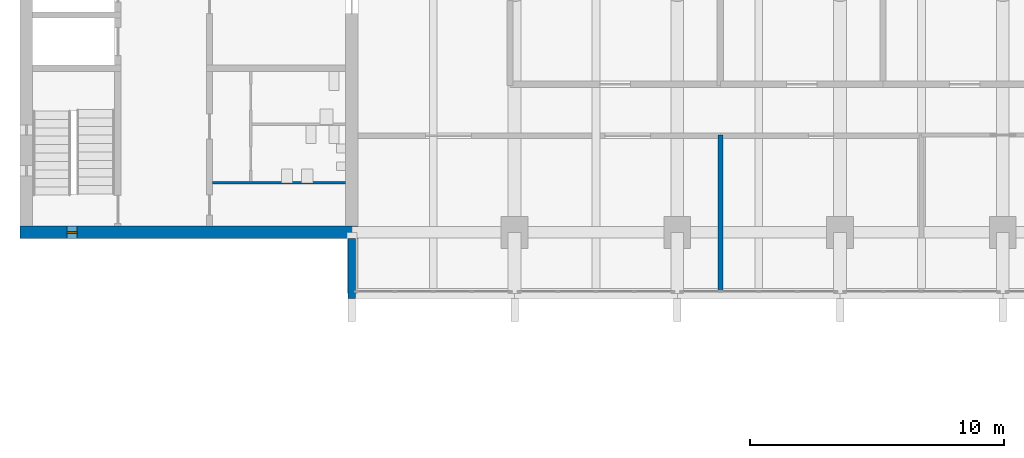
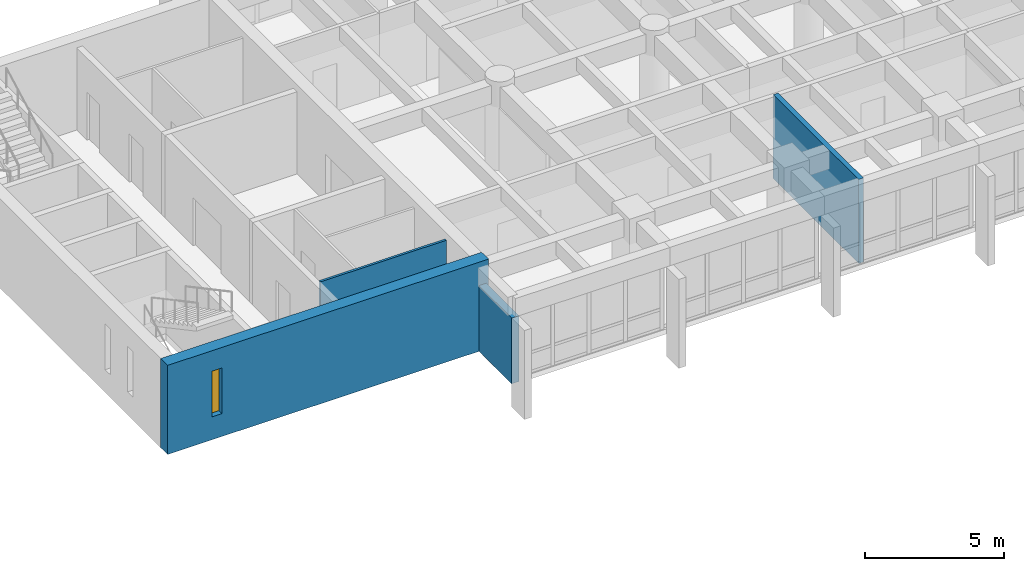
# One storey, part 9 of 19: 4 walls, 1 window, 1 opening.
"""IFC4 building model written with IfcOpenShell, lengths in metres."""

from ifc_helpers import new_model, si_unit, direction, frame, frame_2d, origin, place, context, subcontext, project, spatial, rectangle, extrude, material, layer, layer_set, type_object, element, fill, save


model = new_model("IFC4")

# Units and contexts
model_context = context("Model", 3, precision=1e-05, world=origin(), true_north=direction((0.0, 1.0)))
body_context = subcontext(model_context, "Body", "Model", "MODEL_VIEW")
ifc_project = project(units=[si_unit("LENGTHUNIT", "METRE"), si_unit("AREAUNIT", "SQUARE_METRE"), si_unit("VOLUMEUNIT", "CUBIC_METRE"), si_unit("PLANEANGLEUNIT", "RADIAN"), si_unit("MASSUNIT", "GRAM", prefix="KILO")], contexts=[model_context])

# Site, building, storey
site_placement = place(None, origin())
site = spatial("IfcSite", under=ifc_project, at=site_placement, CompositionType="ELEMENT")
building_placement = place(site_placement, origin())
building = spatial("IfcBuilding", under=site, at=building_placement, Name="Fogon Plaza Fire Station and Headquarters Tower", CompositionType="ELEMENT")
storey_placement = place(building_placement, frame((0.0, 0.0, 21.0)))
storey = spatial("IfcBuildingStorey", under=building, at=storey_placement, Name="L05", CompositionType="ELEMENT", Elevation=21.0)

# Walls
ifc_material_1 = material(Name="Concrete C40", Category="concrete")
ifc_layer_1 = layer(ifc_material_1, 0.300048828125)
ifc_layer_set_1 = layer_set([ifc_layer_1], Name="Concrete C40")
wall_type_1 = type_object("IfcWallType", Name="Fair-faced RC Return Panel 300", PredefinedType="SOLIDWALL", material=ifc_layer_set_1)
wall_1_placement = place(storey_placement, frame((25.60009765625, 31.0, 0.0), z_axis=(0.0, 0.0, 1.0), x_axis=(0.0, 1.0, 0.0)))
element("IfcWall", 1, at=wall_1_placement, inside=storey, type_object=wall_type_1, Name="Bar end return WS L05", PredefinedType="SOLIDWALL", context=body_context, shape_type="SweptSolid", body=[
    extrude(rectangle(XDim=2.35009765625, YDim=0.300048828125, at=frame_2d((1.175048828125, 0.0))), origin(), (0.0, 0.0, 1.0), 2.8798828125),
])
ifc_material_2 = material(Name="Blockwork", Category="masonry")
ifc_layer_2 = layer(ifc_material_2, 0.10009765625)
ifc_layer_set_2 = layer_set([ifc_layer_2], Name="Blockwork")
wall_type_2 = type_object("IfcWallType", Name="Partition Blockwork 100", PredefinedType="PARTITIONING", material=ifc_layer_set_2)
wall_2_placement = place(storey_placement, frame((20.125, 35.550048828125, 0.0), z_axis=(0.0, 0.0, 1.0), x_axis=(1.0, 0.0, 0.0)))
element("IfcWall", 2, at=wall_2_placement, inside=storey, type_object=wall_type_2, Name="Cleaner's store partition", PredefinedType="PARTITIONING", context=body_context, shape_type="SweptSolid", body=[
    extrude(rectangle(XDim=5.22509765625, YDim=0.10009765625, at=frame_2d((2.612548828125, 0.0))), origin(), (0.0, 0.0, 1.0), 3.60009765625),
])

# Wall, opening, window
ifc_material_3 = material(Name="Concrete C40", Category="concrete")
ifc_layer_3 = layer(ifc_material_3, 0.5)
ifc_layer_set_3 = layer_set([ifc_layer_3], Name="Concrete C40")
wall_type_3 = type_object("IfcWallType", Name="Shear wall 500 SW50", PredefinedType="SHEAR", material=ifc_layer_set_3)
wall_3_placement = place(storey_placement, frame((12.550048828125, 33.60009765625, 0.0), z_axis=(0.0, 0.0, 1.0), x_axis=(1.0, 0.0, 0.0)))
wall_3 = element("IfcWall", 3, at=wall_3_placement, inside=storey, type_object=wall_type_3, Name="wall-coreA-S-L05", PredefinedType="SHEAR", context=body_context, shape_type="SweptSolid", body=[
    extrude(rectangle(XDim=13.300048828125, YDim=0.5, at=frame_2d((6.64990234375, 0.0))), origin(), (0.0, 0.0, 1.0), 3.89990234375),
])
opening_placement = place(wall_3_placement, frame((1.85009765625, 0.0, 1.0)))
opening = element("IfcOpeningElement", 4, at=opening_placement, cuts=wall_3, Name="Opening WS1", PredefinedType="OPENING", context=body_context, shape_type="SweptSolid", body=[
    extrude(rectangle(XDim=0.39990234375, YDim=2.0, at=frame_2d((0.199951171875, 1.0))), frame((0.0, 0.260009765625, 0.0), z_axis=(0.0, -1.0, 0.0), x_axis=(1.0, 0.0, 0.0)), (0.0, 0.0, 1.0), 0.52001953125),
])
ifc_material_4 = material(Name="Aluminium framed double glazing", Category="aluminium")
window_type = type_object("IfcWindowType", Name="Slit Window WS1 400x2000", PartitioningType="SINGLE_PANEL", PredefinedType="WINDOW", material=ifc_material_4)
window_placement = place(opening_placement, origin())
window = element("IfcWindow", 5, at=window_placement, inside=storey, type_object=window_type, Name="Slit window A5 L05", OverallHeight=2.0, OverallWidth=0.39990234375, PartitioningType="SINGLE_PANEL", PredefinedType="WINDOW", context=body_context, shape_type="SweptSolid", body=[
    extrude(rectangle(XDim=0.39990234375, YDim=2.0, at=frame_2d((0.199951171875, 1.0))), frame((0.0, 0.030029296875, 0.0), z_axis=(0.0, -1.0, 0.0), x_axis=(1.0, 0.0, 0.0)), (0.0, 0.0, 1.0), 0.06005859375),
])
fill(opening, window)

# Wall
ifc_material_5 = material(Name="Concrete block masonry", Category="masonry")
ifc_layer_4 = layer(ifc_material_5, 0.199951171875)
ifc_layer_set_4 = layer_set([ifc_layer_4], Name="Concrete block masonry")
wall_type_4 = type_object("IfcWallType", Name="Tower compartment wall 200 EI 120", PredefinedType="PARTITIONING", material=ifc_layer_set_4)
wall_4_placement = place(storey_placement, frame((40.090087890625, 31.300048828125, 0.0), z_axis=(0.0, 0.0, 1.0), x_axis=(0.0, 1.0, 0.0)))
element("IfcWall", 6, at=wall_4_placement, inside=storey, type_object=wall_type_4, Name="part-L05-05", PredefinedType="PARTITIONING", context=body_context, shape_type="SweptSolid", body=[
    extrude(rectangle(XDim=6.125, YDim=0.199951171875, at=frame_2d((3.0625, 0.0))), origin(), (0.0, 0.0, 1.0), 3.679931640625),
])

save(model, "model.ifc")
